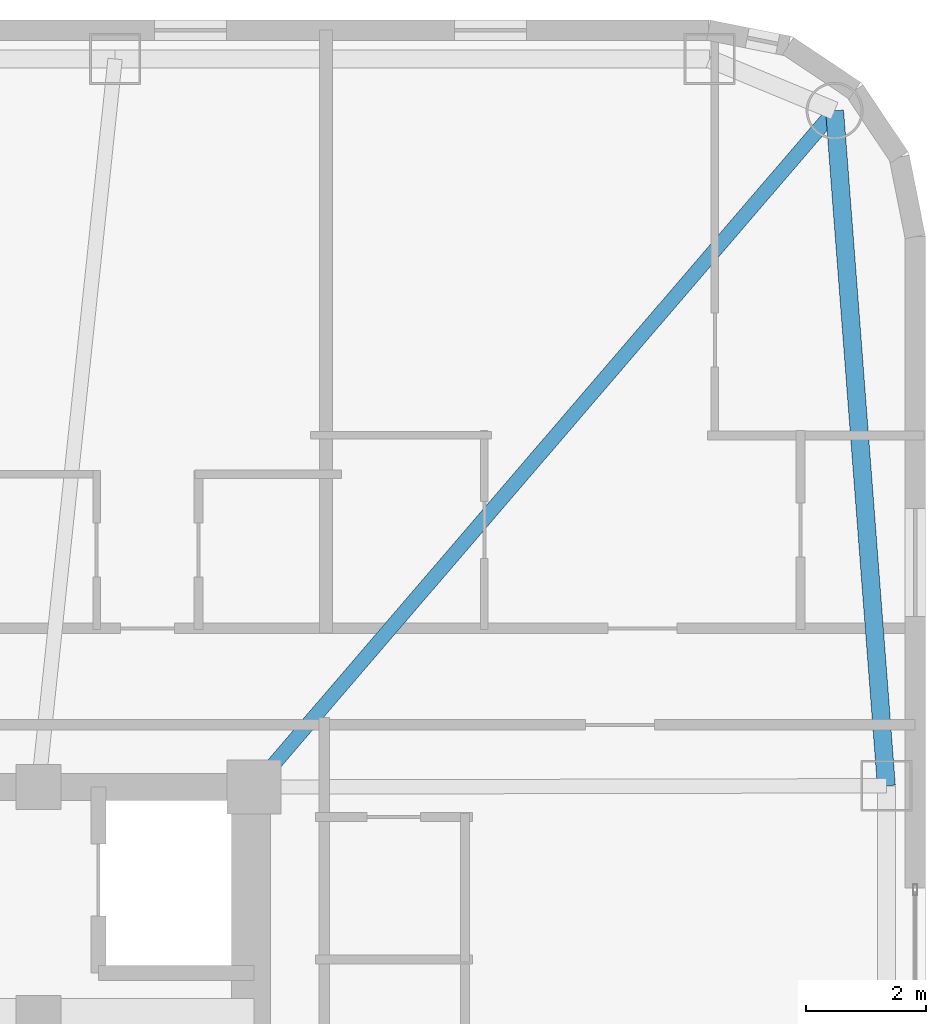
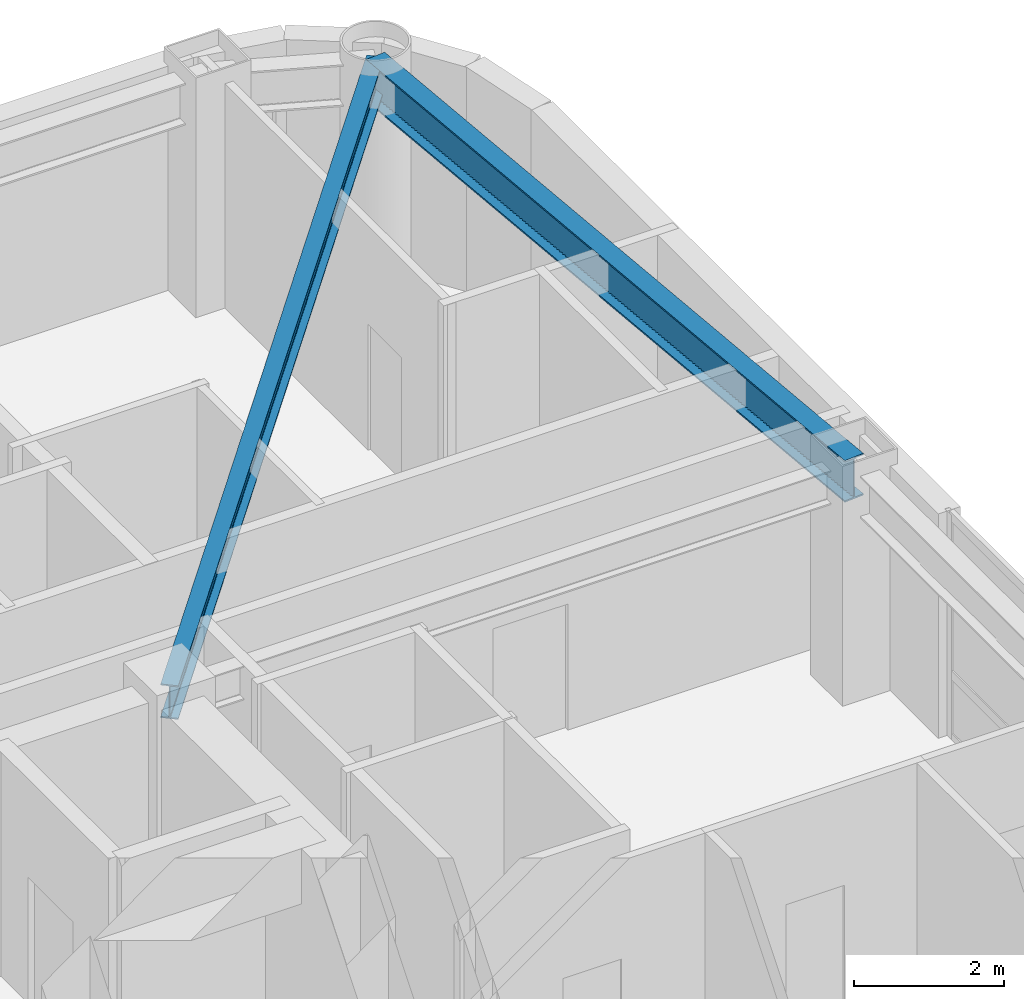
# One storey, part 14 of 29: 2 beams.
"""IFC4 building model written with IfcOpenShell, lengths in metres."""

from ifc_helpers import new_model, si_unit, direction, frame, origin, origin_2d, place, context, subcontext, project, spatial, i_section, extrude, material, material_profile, profile_set, type_object, element, save


model = new_model("IFC4")

# Units and contexts
model_context = context("Model", 3, precision=1e-05, world=origin(), true_north=direction((0.0, 1.0)))
body_context = subcontext(model_context, "Body", "Model", "MODEL_VIEW")
ifc_project = project(units=[si_unit("LENGTHUNIT", "METRE"), si_unit("AREAUNIT", "SQUARE_METRE"), si_unit("VOLUMEUNIT", "CUBIC_METRE"), si_unit("PLANEANGLEUNIT", "RADIAN"), si_unit("MASSUNIT", "GRAM", prefix="KILO")], contexts=[model_context])

# Site, building, storey
site_placement = place(None, origin())
site = spatial("IfcSite", under=ifc_project, at=site_placement, CompositionType="ELEMENT")
building_placement = place(site_placement, origin())
building = spatial("IfcBuilding", under=site, at=building_placement, Name="Voryun Gate Residences", CompositionType="ELEMENT")
storey_placement = place(building_placement, frame((0.0, 0.0, 211.89990234375)))
storey = spatial("IfcBuildingStorey", under=building, at=storey_placement, Name="L52", CompositionType="ELEMENT", Elevation=211.89990234375)

# Beams
ifc_material_1 = material(Name="Steel SM355", Category="steel")
ifc_material_profile_1 = material_profile(ifc_material_1, i_section(OverallWidth=0.300048828125, OverallDepth=0.679931640625, WebThickness=0.013916015625, FlangeThickness=0.02490234375, FilletRadius=0.01806640625, at=origin_2d()), Name="H-680x300x14x25")
ifc_profile_set_1 = profile_set([ifc_material_profile_1], Name="Steel SM355")
beam_type_1 = type_object("IfcBeamType", Name="BM_EXO_SPANDREL_M", PredefinedType="SPANDREL", material=ifc_profile_set_1)
beam_1_placement = place(storey_placement, frame((29.75, 7.422119140625, 3.31005859375), z_axis=(-0.076481657417, 0.997070988485, 0.0), x_axis=(-0.997070988485, -0.076481657417, 0.0)))
element("IfcBeam", 1, at=beam_1_placement, inside=storey, type_object=beam_type_1, Name="BM-L52-SPAND-09", PredefinedType="SPANDREL", context=body_context, shape_type="SweptSolid", body=[
    extrude(i_section(OverallWidth=0.300048828125, OverallDepth=0.679931640625, WebThickness=0.013916015625, FlangeThickness=0.02490234375, FilletRadius=0.01806640625, at=origin_2d()), origin(), (0.0, 0.0, 1.0), 11.297119140625),
])
ifc_material_2 = material(Name="Steel SM355", Category="steel")
ifc_material_profile_2 = material_profile(ifc_material_2, i_section(OverallWidth=0.239990234375, OverallDepth=0.550048828125, WebThickness=0.011962890625, FlangeThickness=0.02001953125, FilletRadius=0.01806640625, at=origin_2d()), Name="H-550x240x12x20")
ifc_profile_set_2 = profile_set([ifc_material_profile_2], Name="Steel SM355")
beam_type_2 = type_object("IfcBeamType", Name="BM_GIRD_550", PredefinedType="USERDEFINED", material=ifc_profile_set_2)
beam_2_placement = place(storey_placement, frame((19.199951171875, 7.39990234375, 3.375), z_axis=(0.651264396721, 0.758850898111, 0.0), x_axis=(-0.758850898111, 0.651264396721, 0.0)))
element("IfcBeam", 2, at=beam_2_placement, inside=storey, type_object=beam_type_2, Name="BM-L52-RAD-CNE", ObjectType="GIRDER", PredefinedType="USERDEFINED", context=body_context, shape_type="SweptSolid", body=[
    extrude(i_section(OverallWidth=0.239990234375, OverallDepth=0.550048828125, WebThickness=0.011962890625, FlangeThickness=0.02001953125, FilletRadius=0.01806640625, at=origin_2d()), origin(), (0.0, 0.0, 1.0), 14.87255859375),
])

save(model, "model.ifc")
